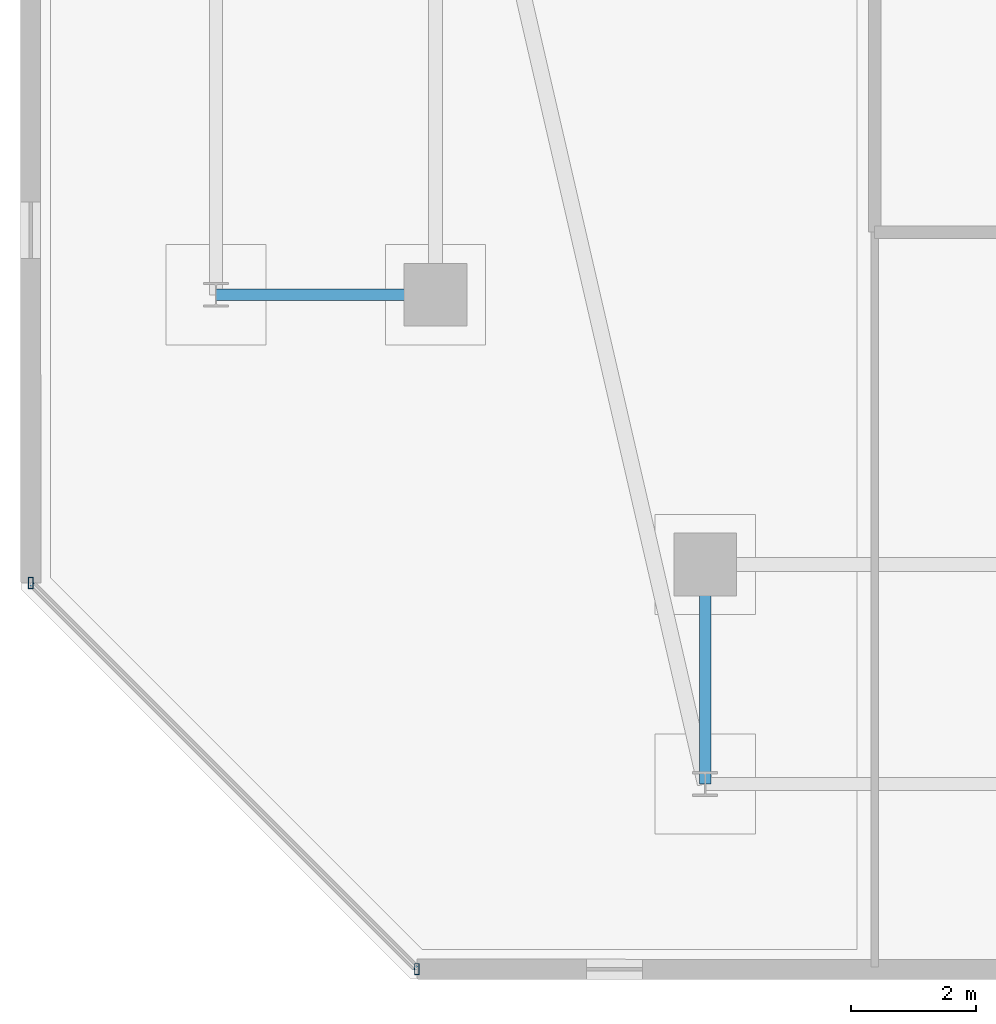
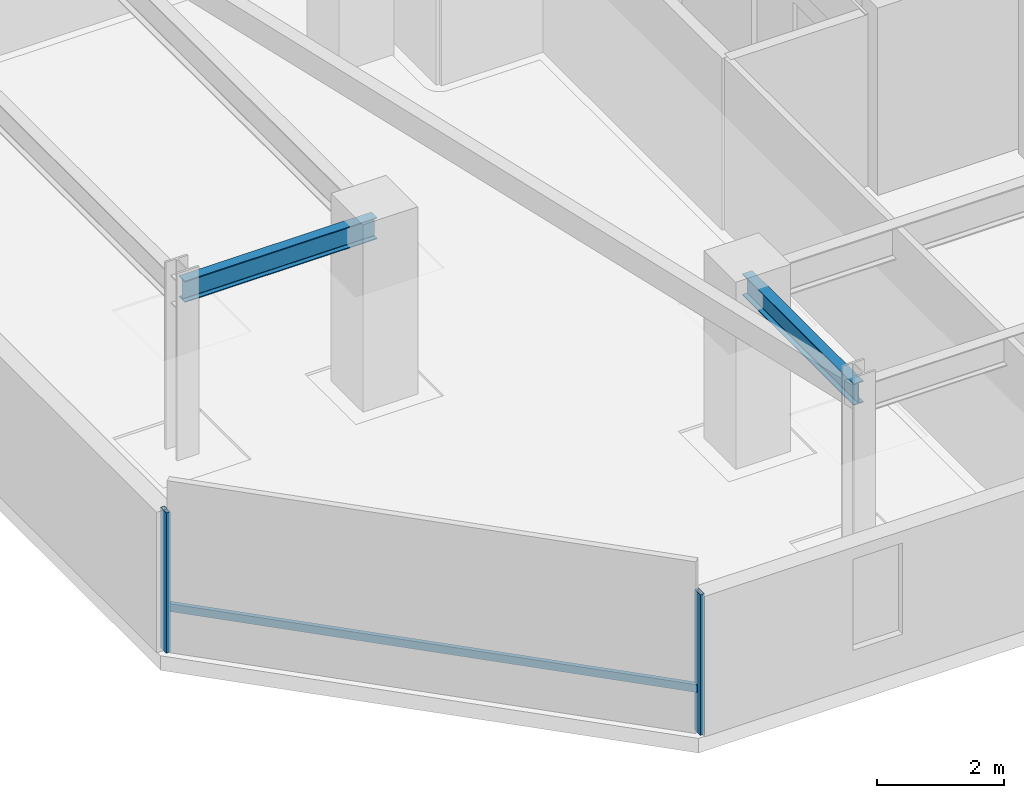
# One storey, part 3 of 29: 3 members, 2 beams, 1 element without a shape of its own.
"""IFC4 building model written with IfcOpenShell, lengths in metres."""

from ifc_helpers import new_model, si_unit, direction, frame, origin, origin_2d, place, context, subcontext, project, spatial, hollow_rectangle, i_section, extrude, material, material_profile, profile_set, type_object, element, aggregate, save


model = new_model("IFC4")

# Units and contexts
model_context = context("Model", 3, precision=1e-05, world=origin(), true_north=direction((0.0, 1.0)))
body_context = subcontext(model_context, "Body", "Model", "MODEL_VIEW")
ifc_project = project(units=[si_unit("LENGTHUNIT", "METRE"), si_unit("AREAUNIT", "SQUARE_METRE"), si_unit("VOLUMEUNIT", "CUBIC_METRE"), si_unit("PLANEANGLEUNIT", "RADIAN"), si_unit("MASSUNIT", "GRAM", prefix="KILO")], contexts=[model_context])

# Site, building, storey
site_placement = place(None, origin())
site = spatial("IfcSite", under=ifc_project, at=site_placement, CompositionType="ELEMENT")
building_placement = place(site_placement, origin())
building = spatial("IfcBuilding", under=site, at=building_placement, Name="Thornwick Lancets Civic Towers", CompositionType="ELEMENT")
storey_placement = place(building_placement, frame((0.0, 0.0, 229.5)))
storey = spatial("IfcBuildingStorey", under=building, at=storey_placement, Name="L61", CompositionType="ELEMENT", Elevation=229.5)

# Beams
ifc_material_1 = material(Name="Steel S355JR", Category="steel")
ifc_material_profile_1 = material_profile(ifc_material_1, i_section(OverallWidth=0.179443359375, OverallDepth=0.412841796875, WebThickness=0.009521484375, FlangeThickness=0.01611328125, FilletRadius=0.01025390625, at=origin_2d()), Name="UKB 406x178x74")
ifc_profile_set_1 = profile_set([ifc_material_profile_1], Name="Steel S355JR")
beam_type = type_object("IfcBeamType", Name="BM_JOIST_406_74", PredefinedType="JOIST", material=ifc_profile_set_1)
for number, where, z_axis, x_axis, name in (
    (1, (12.5, 9.699951171875, 3.113525390625), (0.0, -1.0, 0.0), (1.0, 0.0, 0.0), "BM-RAD-L61-A01"),
    (2, (8.199951171875, 14.0, 3.113525390625), (-1.0, 0.0, 0.0), (0.0, -1.0, 0.0), "BM-RAD-L61-A10"),
):
    element("IfcBeam", number, at=place(storey_placement, frame(where, z_axis=z_axis, x_axis=x_axis)), inside=storey, type_object=beam_type, Name=name, PredefinedType="JOIST", context=body_context, shape_type="SweptSolid", body=[
        extrude(i_section(OverallWidth=0.179443359375, OverallDepth=0.412841796875, WebThickness=0.009521484375, FlangeThickness=0.01611328125, FilletRadius=0.01025390625, at=origin_2d()), origin(), (0.0, 0.0, 1.0), 3.5),
    ])

# Curtain wall, members
ifc_material_2 = material(Name="High-zone chamfered-corner unitised glass curtain wall", Category="glass")
curtain_wall_type = type_object("IfcCurtainWallType", Name="CW_SYS_05", PredefinedType="NOTDEFINED", material=ifc_material_2)
curtain_wall_placement = place(storey_placement, origin())
curtain_wall = element("IfcCurtainWall", 3, at=curtain_wall_placement, inside=storey, type_object=curtain_wall_type, Name="L61 Curtain Wall CW-L61-A-E7", PredefinedType="NOTDEFINED")
ifc_material_3 = material(Name="Thermally broken bronze aluminium S355", Category="steel")
ifc_material_profile_2 = material_profile(ifc_material_3, hollow_rectangle(XDim=0.074951171875, YDim=0.179931640625, WallThickness=0.006103515625, at=origin_2d()), Name="RHS 180x75x6")
ifc_profile_set_2 = profile_set([ifc_material_profile_2], Name="Thermally broken bronze aluminium S355")
member_type_1 = type_object("IfcMemberType", Name="CW_MUL_180", PredefinedType="MULLION", material=ifc_profile_set_2)
member_1_placement = place(storey_placement, frame((1.747314453125, 9.403564453125, 0.0), z_axis=(0.0, 0.0, 1.0), x_axis=(1.0, 0.0, 0.0)))
member_1 = element("IfcMember", 4, at=member_1_placement, type_object=member_type_1, Name="CW-L61-A-E7 Mullion 0", PredefinedType="MULLION", context=body_context, shape_type="SweptSolid", body=[
    extrude(hollow_rectangle(XDim=0.074951171875, YDim=0.179931640625, WallThickness=0.006103515625, at=origin_2d()), origin(), (0.0, 0.0, 1.0), 2.699951171875),
])
member_2_placement = place(storey_placement, frame((7.903564453125, 3.247314453125, 0.0), z_axis=(0.0, 0.0, 1.0), x_axis=(1.0, 0.0, 0.0)))
member_2 = element("IfcMember", 5, at=member_2_placement, type_object=member_type_1, Name="CW-L61-A-E7 Mullion 1", PredefinedType="MULLION", context=body_context, shape_type="SweptSolid", body=[
    extrude(hollow_rectangle(XDim=0.074951171875, YDim=0.179931640625, WallThickness=0.006103515625, at=origin_2d()), origin(), (0.0, 0.0, 1.0), 2.699951171875),
])
ifc_material_profile_3 = material_profile(ifc_material_3, hollow_rectangle(XDim=0.074951171875, YDim=0.14990234375, WallThickness=0.0048828125, at=origin_2d()), Name="RHS 150x75x5")
ifc_profile_set_3 = profile_set([ifc_material_profile_3], Name="Thermally broken bronze aluminium S355")
member_type_2 = type_object("IfcMemberType", Name="CW_TRN_150", PredefinedType="USERDEFINED", material=ifc_profile_set_3)
member_3_placement = place(storey_placement, frame((1.76123046875, 9.389404296875, 0.85009765625), z_axis=(0.707106781187, -0.707106781187, 0.0), x_axis=(0.707106781187, 0.707106781187, 0.0)))
member_3 = element("IfcMember", 6, at=member_3_placement, type_object=member_type_2, Name="CW-L61-A-E7 Transom 0", ObjectType="TRANSOM", PredefinedType="USERDEFINED", context=body_context, shape_type="SweptSolid", body=[
    extrude(hollow_rectangle(XDim=0.074951171875, YDim=0.14990234375, WallThickness=0.0048828125, at=origin_2d()), origin(), (0.0, 0.0, 1.0), 8.66650390625),
])
aggregate(curtain_wall, [member_1, member_2, member_3])

save(model, "model.ifc")
